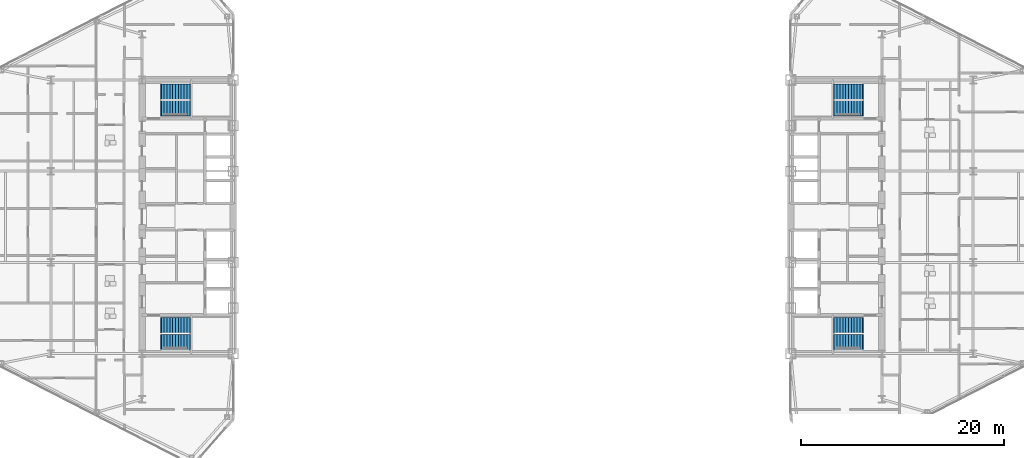
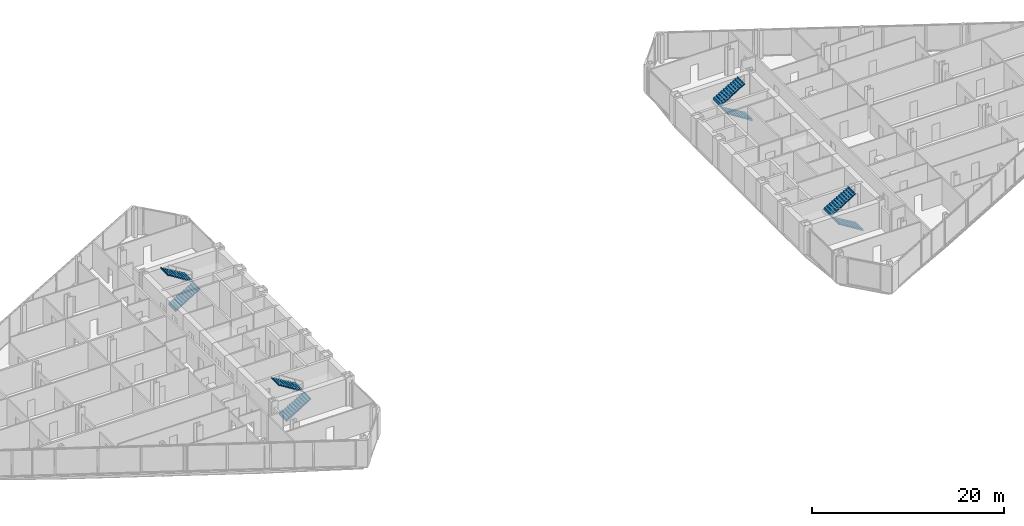
# One storey, part 22 of 24: 8 stair flights, 4 elements without a shape of their own.
"""IFC4 building model written with IfcOpenShell, lengths in metres."""

from ifc_helpers import new_model, si_unit, direction, frame, origin, place, context, subcontext, project, spatial, polyline, outline, extrude, material, type_object, element, aggregate, save


model = new_model("IFC4")

# Units and contexts
model_context = context("Model", 3, precision=1e-05, world=origin(), true_north=direction((0.0, 1.0)))
body_context = subcontext(model_context, "Body", "Model", "MODEL_VIEW")
ifc_project = project(units=[si_unit("LENGTHUNIT", "METRE"), si_unit("AREAUNIT", "SQUARE_METRE"), si_unit("VOLUMEUNIT", "CUBIC_METRE"), si_unit("PLANEANGLEUNIT", "RADIAN"), si_unit("MASSUNIT", "GRAM", prefix="KILO")], contexts=[model_context])

# Site, building, storey
site_placement = place(None, origin())
site = spatial("IfcSite", under=ifc_project, at=site_placement, CompositionType="ELEMENT")
building_placement = place(site_placement, origin())
building = spatial("IfcBuilding", under=site, at=building_placement, Name="Seokmaru Belvedere", CompositionType="ELEMENT")
storey_placement = place(building_placement, frame((0.0, 0.0, 114.0)))
storey = spatial("IfcBuildingStorey", under=building, at=storey_placement, Name="L30", CompositionType="ELEMENT", Elevation=114.0)

# Stair, stair flights
ifc_material = material(Name="Concrete C40 (40 MPa)", Category="concrete")
stair_type = type_object("IfcStairType", Name="Typical Tower Core Dog-Leg Stair 3600", PredefinedType="TWO_STRAIGHT_RUN_STAIR", material=ifc_material)
stair_1_placement = place(storey_placement, origin())
stair_1 = element("IfcStair", 1, at=stair_1_placement, inside=storey, type_object=stair_type, Name="L30 Special Escape Stair ST-W1", PredefinedType="TWO_STRAIGHT_RUN_STAIR")
stair_flight_type = type_object("IfcStairFlightType", Name="Reinforced Concrete Stair Flight 1500", PredefinedType="STRAIGHT", material=ifc_material)
stair_flight_1_placement = place(storey_placement, frame((-34.60009765625, -12.35009765625, 0.0), z_axis=(0.0, 0.0, 1.0), x_axis=(1.0, 0.0, 0.0)))
stair_flight_1 = element("IfcStairFlight", 2, at=stair_flight_1_placement, type_object=stair_flight_type, Name="ST-W1 flight 1", NumberOfRisers=11, NumberOfTreads=10, PredefinedType="STRAIGHT", RiserHeight=0.163636364, TreadLength=0.28, context=body_context, shape_type="SweptSolid", body=[
    extrude(outline(polyline([(-0.080078125, 0.0), (0.0, 0.16357421875), (0.280029296875, 0.16357421875), (0.280029296875, 0.327392578125), (0.56005859375, 0.327392578125), (0.56005859375, 0.490966796875), (0.840087890625, 0.490966796875), (0.840087890625, 0.654541015625), (1.1201171875, 0.654541015625), (1.1201171875, 0.818115234375), (1.39990234375, 0.818115234375), (1.39990234375, 0.98193359375), (1.679931640625, 0.98193359375), (1.679931640625, 1.1455078125), (1.9599609375, 1.1455078125), (1.9599609375, 1.30908203125), (2.239990234375, 1.30908203125), (2.239990234375, 1.47265625), (2.52001953125, 1.47265625), (2.52001953125, 1.636474609375), (2.800048828125, 1.636474609375), (2.800048828125, 1.800048828125), (2.8798828125, 1.800048828125), (2.8798828125, 1.610107421875), (2.800048828125, 1.610107421875), (0.0, -0.159912109375), (-0.080078125, -0.159912109375), (-0.080078125, 0.0)])), frame((0.0, 0.75, 0.0), z_axis=(0.0, -1.0, 0.0), x_axis=(1.0, 0.0, 0.0)), (0.0, 0.0, 1.0), 1.5),
])
stair_flight_2_placement = place(storey_placement, frame((-31.800048828125, -10.7099609375, 1.800048828125), z_axis=(0.0, 0.0, 1.0), x_axis=(-1.0, 0.0, 0.0)))
stair_flight_2 = element("IfcStairFlight", 3, at=stair_flight_2_placement, type_object=stair_flight_type, Name="ST-W1 flight 2", NumberOfRisers=11, NumberOfTreads=10, PredefinedType="STRAIGHT", RiserHeight=0.163636364, TreadLength=0.28, context=body_context, shape_type="SweptSolid", body=[
    extrude(outline(polyline([(-0.080078125, 0.0), (0.0, 0.16357421875), (0.280029296875, 0.16357421875), (0.280029296875, 0.327392578125), (0.56005859375, 0.327392578125), (0.56005859375, 0.490966796875), (0.840087890625, 0.490966796875), (0.840087890625, 0.654541015625), (1.1201171875, 0.654541015625), (1.1201171875, 0.818115234375), (1.39990234375, 0.818115234375), (1.39990234375, 0.98193359375), (1.679931640625, 0.98193359375), (1.679931640625, 1.1455078125), (1.9599609375, 1.1455078125), (1.9599609375, 1.30908203125), (2.239990234375, 1.30908203125), (2.239990234375, 1.47265625), (2.52001953125, 1.47265625), (2.52001953125, 1.636474609375), (2.800048828125, 1.636474609375), (2.800048828125, 1.800048828125), (2.8798828125, 1.800048828125), (2.8798828125, 1.610107421875), (2.800048828125, 1.610107421875), (0.0, -0.159912109375), (-0.080078125, -0.159912109375), (-0.080078125, 0.0)])), frame((0.0, 0.75, 0.0), z_axis=(0.0, -1.0, 0.0), x_axis=(1.0, 0.0, 0.0)), (0.0, 0.0, 1.0), 1.5),
])
aggregate(stair_1, [stair_flight_1, stair_flight_2])

stair_2_placement = place(storey_placement, origin())
stair_2 = element("IfcStair", 4, at=stair_2_placement, inside=storey, type_object=stair_type, Name="L30 Special Escape Stair ST-W2", PredefinedType="TWO_STRAIGHT_RUN_STAIR")
stair_flight_3_placement = place(storey_placement, frame((-34.60009765625, 10.7099609375, 0.0), z_axis=(0.0, 0.0, 1.0), x_axis=(1.0, 0.0, 0.0)))
stair_flight_3 = element("IfcStairFlight", 5, at=stair_flight_3_placement, type_object=stair_flight_type, Name="ST-W2 flight 1", NumberOfRisers=11, NumberOfTreads=10, PredefinedType="STRAIGHT", RiserHeight=0.163636364, TreadLength=0.28, context=body_context, shape_type="SweptSolid", body=[
    extrude(outline(polyline([(-0.080078125, 0.0), (0.0, 0.16357421875), (0.280029296875, 0.16357421875), (0.280029296875, 0.327392578125), (0.56005859375, 0.327392578125), (0.56005859375, 0.490966796875), (0.840087890625, 0.490966796875), (0.840087890625, 0.654541015625), (1.1201171875, 0.654541015625), (1.1201171875, 0.818115234375), (1.39990234375, 0.818115234375), (1.39990234375, 0.98193359375), (1.679931640625, 0.98193359375), (1.679931640625, 1.1455078125), (1.9599609375, 1.1455078125), (1.9599609375, 1.30908203125), (2.239990234375, 1.30908203125), (2.239990234375, 1.47265625), (2.52001953125, 1.47265625), (2.52001953125, 1.636474609375), (2.800048828125, 1.636474609375), (2.800048828125, 1.800048828125), (2.8798828125, 1.800048828125), (2.8798828125, 1.610107421875), (2.800048828125, 1.610107421875), (0.0, -0.159912109375), (-0.080078125, -0.159912109375), (-0.080078125, 0.0)])), frame((0.0, 0.75, 0.0), z_axis=(0.0, -1.0, 0.0), x_axis=(1.0, 0.0, 0.0)), (0.0, 0.0, 1.0), 1.5),
])
stair_flight_4_placement = place(storey_placement, frame((-31.800048828125, 12.35009765625, 1.800048828125), z_axis=(0.0, 0.0, 1.0), x_axis=(-1.0, 0.0, 0.0)))
stair_flight_4 = element("IfcStairFlight", 6, at=stair_flight_4_placement, type_object=stair_flight_type, Name="ST-W2 flight 2", NumberOfRisers=11, NumberOfTreads=10, PredefinedType="STRAIGHT", RiserHeight=0.163636364, TreadLength=0.28, context=body_context, shape_type="SweptSolid", body=[
    extrude(outline(polyline([(-0.080078125, 0.0), (0.0, 0.16357421875), (0.280029296875, 0.16357421875), (0.280029296875, 0.327392578125), (0.56005859375, 0.327392578125), (0.56005859375, 0.490966796875), (0.840087890625, 0.490966796875), (0.840087890625, 0.654541015625), (1.1201171875, 0.654541015625), (1.1201171875, 0.818115234375), (1.39990234375, 0.818115234375), (1.39990234375, 0.98193359375), (1.679931640625, 0.98193359375), (1.679931640625, 1.1455078125), (1.9599609375, 1.1455078125), (1.9599609375, 1.30908203125), (2.239990234375, 1.30908203125), (2.239990234375, 1.47265625), (2.52001953125, 1.47265625), (2.52001953125, 1.636474609375), (2.800048828125, 1.636474609375), (2.800048828125, 1.800048828125), (2.8798828125, 1.800048828125), (2.8798828125, 1.610107421875), (2.800048828125, 1.610107421875), (0.0, -0.159912109375), (-0.080078125, -0.159912109375), (-0.080078125, 0.0)])), frame((0.0, 0.75, 0.0), z_axis=(0.0, -1.0, 0.0), x_axis=(1.0, 0.0, 0.0)), (0.0, 0.0, 1.0), 1.5),
])
aggregate(stair_2, [stair_flight_3, stair_flight_4])

stair_3_placement = place(storey_placement, origin())
stair_3 = element("IfcStair", 7, at=stair_3_placement, inside=storey, type_object=stair_type, Name="L30 Special Escape Stair ST-E1", PredefinedType="TWO_STRAIGHT_RUN_STAIR")
stair_flight_5_placement = place(storey_placement, frame((34.60009765625, -12.35009765625, 0.0), z_axis=(0.0, 0.0, 1.0), x_axis=(-1.0, 0.0, 0.0)))
stair_flight_5 = element("IfcStairFlight", 8, at=stair_flight_5_placement, type_object=stair_flight_type, Name="ST-E1 flight 1", NumberOfRisers=11, NumberOfTreads=10, PredefinedType="STRAIGHT", RiserHeight=0.163636364, TreadLength=0.28, context=body_context, shape_type="SweptSolid", body=[
    extrude(outline(polyline([(-0.080078125, 0.0), (0.0, 0.16357421875), (0.280029296875, 0.16357421875), (0.280029296875, 0.327392578125), (0.56005859375, 0.327392578125), (0.56005859375, 0.490966796875), (0.840087890625, 0.490966796875), (0.840087890625, 0.654541015625), (1.1201171875, 0.654541015625), (1.1201171875, 0.818115234375), (1.39990234375, 0.818115234375), (1.39990234375, 0.98193359375), (1.679931640625, 0.98193359375), (1.679931640625, 1.1455078125), (1.9599609375, 1.1455078125), (1.9599609375, 1.30908203125), (2.239990234375, 1.30908203125), (2.239990234375, 1.47265625), (2.52001953125, 1.47265625), (2.52001953125, 1.636474609375), (2.800048828125, 1.636474609375), (2.800048828125, 1.800048828125), (2.8798828125, 1.800048828125), (2.8798828125, 1.610107421875), (2.800048828125, 1.610107421875), (0.0, -0.159912109375), (-0.080078125, -0.159912109375), (-0.080078125, 0.0)])), frame((0.0, 0.75, 0.0), z_axis=(0.0, -1.0, 0.0), x_axis=(1.0, 0.0, 0.0)), (0.0, 0.0, 1.0), 1.5),
])
stair_flight_6_placement = place(storey_placement, frame((31.800048828125, -10.7099609375, 1.800048828125), z_axis=(0.0, 0.0, 1.0), x_axis=(1.0, 0.0, 0.0)))
stair_flight_6 = element("IfcStairFlight", 9, at=stair_flight_6_placement, type_object=stair_flight_type, Name="ST-E1 flight 2", NumberOfRisers=11, NumberOfTreads=10, PredefinedType="STRAIGHT", RiserHeight=0.163636364, TreadLength=0.28, context=body_context, shape_type="SweptSolid", body=[
    extrude(outline(polyline([(-0.080078125, 0.0), (0.0, 0.16357421875), (0.280029296875, 0.16357421875), (0.280029296875, 0.327392578125), (0.56005859375, 0.327392578125), (0.56005859375, 0.490966796875), (0.840087890625, 0.490966796875), (0.840087890625, 0.654541015625), (1.1201171875, 0.654541015625), (1.1201171875, 0.818115234375), (1.39990234375, 0.818115234375), (1.39990234375, 0.98193359375), (1.679931640625, 0.98193359375), (1.679931640625, 1.1455078125), (1.9599609375, 1.1455078125), (1.9599609375, 1.30908203125), (2.239990234375, 1.30908203125), (2.239990234375, 1.47265625), (2.52001953125, 1.47265625), (2.52001953125, 1.636474609375), (2.800048828125, 1.636474609375), (2.800048828125, 1.800048828125), (2.8798828125, 1.800048828125), (2.8798828125, 1.610107421875), (2.800048828125, 1.610107421875), (0.0, -0.159912109375), (-0.080078125, -0.159912109375), (-0.080078125, 0.0)])), frame((0.0, 0.75, 0.0), z_axis=(0.0, -1.0, 0.0), x_axis=(1.0, 0.0, 0.0)), (0.0, 0.0, 1.0), 1.5),
])
aggregate(stair_3, [stair_flight_5, stair_flight_6])

stair_4_placement = place(storey_placement, origin())
stair_4 = element("IfcStair", 10, at=stair_4_placement, inside=storey, type_object=stair_type, Name="L30 Special Escape Stair ST-E2", PredefinedType="TWO_STRAIGHT_RUN_STAIR")
stair_flight_7_placement = place(storey_placement, frame((34.60009765625, 10.7099609375, 0.0), z_axis=(0.0, 0.0, 1.0), x_axis=(-1.0, 0.0, 0.0)))
stair_flight_7 = element("IfcStairFlight", 11, at=stair_flight_7_placement, type_object=stair_flight_type, Name="ST-E2 flight 1", NumberOfRisers=11, NumberOfTreads=10, PredefinedType="STRAIGHT", RiserHeight=0.163636364, TreadLength=0.28, context=body_context, shape_type="SweptSolid", body=[
    extrude(outline(polyline([(-0.080078125, 0.0), (0.0, 0.16357421875), (0.280029296875, 0.16357421875), (0.280029296875, 0.327392578125), (0.56005859375, 0.327392578125), (0.56005859375, 0.490966796875), (0.840087890625, 0.490966796875), (0.840087890625, 0.654541015625), (1.1201171875, 0.654541015625), (1.1201171875, 0.818115234375), (1.39990234375, 0.818115234375), (1.39990234375, 0.98193359375), (1.679931640625, 0.98193359375), (1.679931640625, 1.1455078125), (1.9599609375, 1.1455078125), (1.9599609375, 1.30908203125), (2.239990234375, 1.30908203125), (2.239990234375, 1.47265625), (2.52001953125, 1.47265625), (2.52001953125, 1.636474609375), (2.800048828125, 1.636474609375), (2.800048828125, 1.800048828125), (2.8798828125, 1.800048828125), (2.8798828125, 1.610107421875), (2.800048828125, 1.610107421875), (0.0, -0.159912109375), (-0.080078125, -0.159912109375), (-0.080078125, 0.0)])), frame((0.0, 0.75, 0.0), z_axis=(0.0, -1.0, 0.0), x_axis=(1.0, 0.0, 0.0)), (0.0, 0.0, 1.0), 1.5),
])
stair_flight_8_placement = place(storey_placement, frame((31.800048828125, 12.35009765625, 1.800048828125), z_axis=(0.0, 0.0, 1.0), x_axis=(1.0, 0.0, 0.0)))
stair_flight_8 = element("IfcStairFlight", 12, at=stair_flight_8_placement, type_object=stair_flight_type, Name="ST-E2 flight 2", NumberOfRisers=11, NumberOfTreads=10, PredefinedType="STRAIGHT", RiserHeight=0.163636364, TreadLength=0.28, context=body_context, shape_type="SweptSolid", body=[
    extrude(outline(polyline([(-0.080078125, 0.0), (0.0, 0.16357421875), (0.280029296875, 0.16357421875), (0.280029296875, 0.327392578125), (0.56005859375, 0.327392578125), (0.56005859375, 0.490966796875), (0.840087890625, 0.490966796875), (0.840087890625, 0.654541015625), (1.1201171875, 0.654541015625), (1.1201171875, 0.818115234375), (1.39990234375, 0.818115234375), (1.39990234375, 0.98193359375), (1.679931640625, 0.98193359375), (1.679931640625, 1.1455078125), (1.9599609375, 1.1455078125), (1.9599609375, 1.30908203125), (2.239990234375, 1.30908203125), (2.239990234375, 1.47265625), (2.52001953125, 1.47265625), (2.52001953125, 1.636474609375), (2.800048828125, 1.636474609375), (2.800048828125, 1.800048828125), (2.8798828125, 1.800048828125), (2.8798828125, 1.610107421875), (2.800048828125, 1.610107421875), (0.0, -0.159912109375), (-0.080078125, -0.159912109375), (-0.080078125, 0.0)])), frame((0.0, 0.75, 0.0), z_axis=(0.0, -1.0, 0.0), x_axis=(1.0, 0.0, 0.0)), (0.0, 0.0, 1.0), 1.5),
])
aggregate(stair_4, [stair_flight_7, stair_flight_8])

save(model, "model.ifc")
